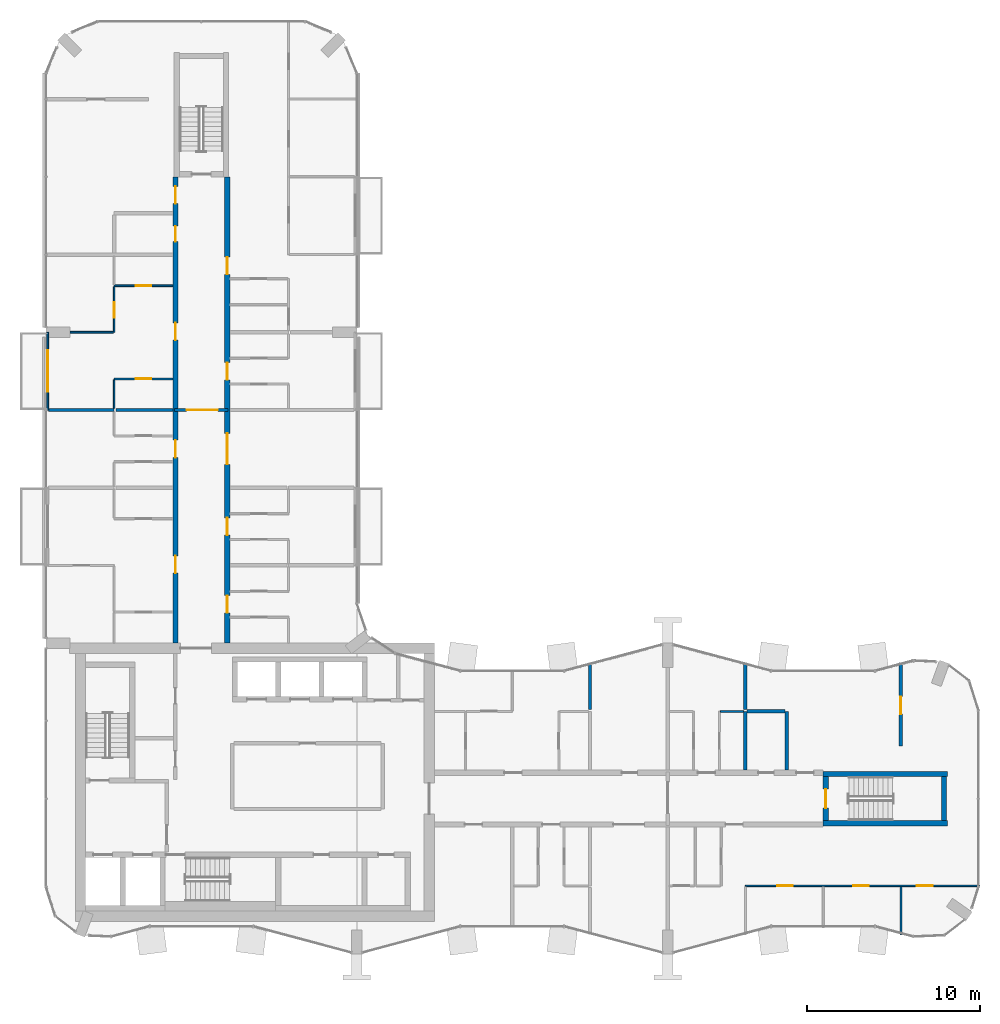
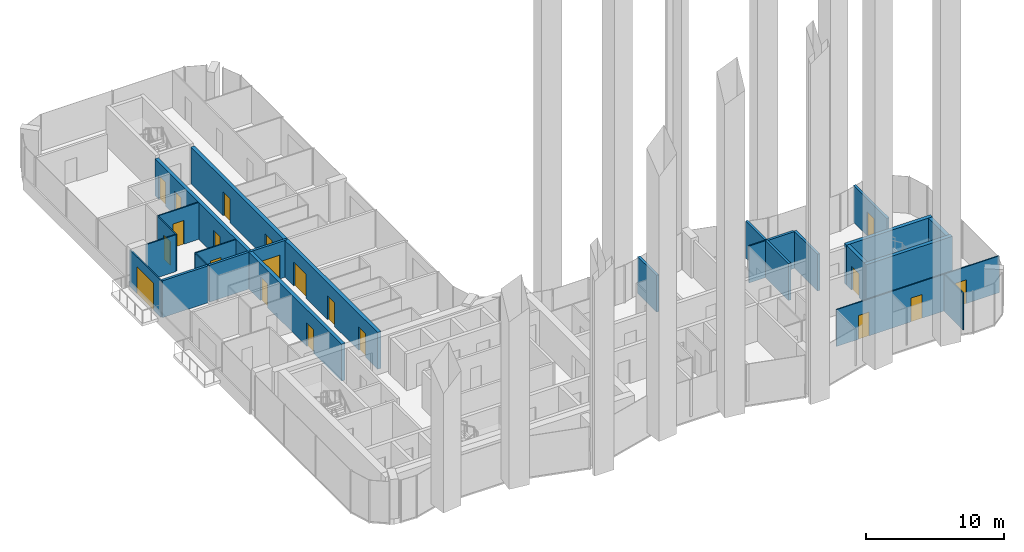
# One storey, part 12 of 18: 24 walls, 20 doors, 20 openings.
"""IFC4 building model written with IfcOpenShell, lengths in metres."""

from ifc_helpers import new_model, si_unit, direction, frame, frame_2d, origin, place, context, subcontext, project, spatial, rectangle, extrude, material, layer, layer_set, type_object, element, fill, save


model = new_model("IFC4")

# Units and contexts
model_context = context("Model", 3, precision=1e-05, world=origin(), true_north=direction((0.0, 1.0)))
body_context = subcontext(model_context, "Body", "Model", "MODEL_VIEW")
ifc_project = project(units=[si_unit("LENGTHUNIT", "METRE"), si_unit("AREAUNIT", "SQUARE_METRE"), si_unit("VOLUMEUNIT", "CUBIC_METRE"), si_unit("PLANEANGLEUNIT", "RADIAN"), si_unit("MASSUNIT", "GRAM", prefix="KILO")], contexts=[model_context])

# Site, building, storey
site_placement = place(None, origin())
site = spatial("IfcSite", under=ifc_project, at=site_placement, CompositionType="ELEMENT")
building_placement = place(site_placement, origin())
building = spatial("IfcBuilding", under=site, at=building_placement, Name="Plateau Cross Towers", CompositionType="ELEMENT")
storey_placement = place(building_placement, frame((0.0, 0.0, 139.39990234375)))
storey = spatial("IfcBuildingStorey", under=building, at=storey_placement, Name="L35", CompositionType="ELEMENT", Elevation=139.39990234375)

# Wall, opening, door
ifc_material_1 = material(Name="Aluminium framed glazing", Category="aluminium")
ifc_layer_1 = layer(ifc_material_1, 0.10009765625)
ifc_layer_set_1 = layer_set([ifc_layer_1], Name="Aluminium framed glazing")
wall_type_1 = type_object("IfcWallType", Name="Balcony screen wall 100", PredefinedType="STANDARD", material=ifc_layer_set_1)
wall_1_placement = place(storey_placement, frame((0.10009765625, 31.5, 0.0), z_axis=(0.0, 0.0, 1.0), x_axis=(0.0, 1.0, 0.0)))
wall_1 = element("IfcWall", 1, at=wall_1_placement, inside=storey, type_object=wall_type_1, Name="Balcony screen wall A-BAL-L35-02", PredefinedType="STANDARD", context=body_context, shape_type="SweptSolid", body=[
    extrude(rectangle(XDim=4.5, YDim=0.10009765625, at=frame_2d((2.25, 0.0))), origin(), (0.0, 0.0, 1.0), 3.25),
])
opening_1_placement = place(wall_1_placement, frame((1.050048828125, 0.0, 0.0)))
opening_1 = element("IfcOpeningElement", 2, at=opening_1_placement, cuts=wall_1, Name="Opening D-B24", PredefinedType="OPENING", context=body_context, shape_type="SweptSolid", body=[
    extrude(rectangle(XDim=2.39990234375, YDim=2.39990234375, at=frame_2d((1.199951171875, 1.199951171875))), frame((0.0, 0.06005859375, 0.0), z_axis=(0.0, -1.0, 0.0), x_axis=(1.0, 0.0, 0.0)), (0.0, 0.0, 1.0), 0.1201171875),
])
ifc_material_2 = material(Name="Aluminium frame, double glazing", Category="aluminium")
door_type_1 = type_object("IfcDoorType", Name="Balcony sliding door 2400", OperationType="NOTDEFINED", PredefinedType="DOOR", material=ifc_material_2)
door_1_placement = place(opening_1_placement, origin())
door_1 = element("IfcDoor", 3, at=door_1_placement, inside=storey, type_object=door_type_1, Name="Balcony door A-BAL-L35-02", OperationType="SINGLE_SWING_LEFT", OverallHeight=2.39990234375, OverallWidth=2.39990234375, PredefinedType="DOOR", context=body_context, shape_type="SweptSolid", body=[
    extrude(rectangle(XDim=2.39990234375, YDim=2.39990234375, at=frame_2d((1.199951171875, 1.199951171875))), frame((0.0, 0.02490234375, 0.0), z_axis=(0.0, -1.0, 0.0), x_axis=(1.0, 0.0, 0.0)), (0.0, 0.0, 1.0), 0.050048828125),
])
fill(opening_1, door_1)

# Wall, openings, doors
ifc_material_3 = material(Name="Concrete C60/75", Category="concrete")
ifc_layer_2 = layer(ifc_material_3, 0.300048828125)
ifc_layer_set_2 = layer_set([ifc_layer_2], Name="Concrete C60/75")
wall_type_2 = type_object("IfcWallType", Name="Corridor wall 300", PredefinedType="SHEAR", material=ifc_layer_set_2)
wall_2_placement = place(storey_placement, frame((7.5, 18.0, 0.0), z_axis=(0.0, 0.0, 1.0), x_axis=(0.0, 1.0, 0.0)))
wall_2 = element("IfcWall", 4, at=wall_2_placement, inside=storey, type_object=wall_type_2, Name="A-cw-W1@L35", PredefinedType="SHEAR", context=body_context, shape_type="SweptSolid", body=[
    extrude(rectangle(XDim=27.0, YDim=0.300048828125, at=frame_2d((13.5, 0.0))), origin(), (0.0, 0.0, 1.0), 3.25),
])
opening_2_placement = place(wall_2_placement, frame((4.050048828125, 0.0, 0.0)))
opening_2 = element("IfcOpeningElement", 5, at=opening_2_placement, cuts=wall_2, Name="Opening 35-10", PredefinedType="OPENING", context=body_context, shape_type="SweptSolid", body=[
    extrude(rectangle(XDim=1.0, YDim=2.10009765625, at=frame_2d((0.5, 1.050048828125))), frame((0.0, 0.159912109375, 0.0), z_axis=(0.0, -1.0, 0.0), x_axis=(1.0, 0.0, 0.0)), (0.0, 0.0, 1.0), 0.320068359375),
])
opening_3_placement = place(wall_2_placement, frame((10.75, 0.0, 0.0)))
opening_3 = element("IfcOpeningElement", 6, at=opening_3_placement, cuts=wall_2, Name="Opening 35-11", PredefinedType="OPENING", context=body_context, shape_type="SweptSolid", body=[
    extrude(rectangle(XDim=1.0, YDim=2.10009765625, at=frame_2d((0.5, 1.050048828125))), frame((0.0, 0.159912109375, 0.0), z_axis=(0.0, -1.0, 0.0), x_axis=(1.0, 0.0, 0.0)), (0.0, 0.0, 1.0), 0.320068359375),
])
opening_4_placement = place(wall_2_placement, frame((17.550048828125, 0.0, 0.0)))
opening_4 = element("IfcOpeningElement", 7, at=opening_4_placement, cuts=wall_2, Name="Opening 35-12", PredefinedType="OPENING", context=body_context, shape_type="SweptSolid", body=[
    extrude(rectangle(XDim=1.0, YDim=2.10009765625, at=frame_2d((0.5, 1.050048828125))), frame((0.0, 0.159912109375, 0.0), z_axis=(0.0, -1.0, 0.0), x_axis=(1.0, 0.0, 0.0)), (0.0, 0.0, 1.0), 0.320068359375),
])
opening_5_placement = place(wall_2_placement, frame((23.25, 0.0, 0.0)))
opening_5 = element("IfcOpeningElement", 8, at=opening_5_placement, cuts=wall_2, Name="Opening 35-13", PredefinedType="OPENING", context=body_context, shape_type="SweptSolid", body=[
    extrude(rectangle(XDim=0.89990234375, YDim=2.10009765625, at=frame_2d((0.449951171875, 1.050048828125))), frame((0.0, 0.159912109375, 0.0), z_axis=(0.0, -1.0, 0.0), x_axis=(1.0, 0.0, 0.0)), (0.0, 0.0, 1.0), 0.320068359375),
])
opening_6_placement = place(wall_2_placement, frame((25.449951171875, 0.0, 0.0)))
opening_6 = element("IfcOpeningElement", 9, at=opening_6_placement, cuts=wall_2, Name="Opening 35-14", PredefinedType="OPENING", context=body_context, shape_type="SweptSolid", body=[
    extrude(rectangle(XDim=1.0, YDim=2.10009765625, at=frame_2d((0.5, 1.050048828125))), frame((0.0, 0.159912109375, 0.0), z_axis=(0.0, -1.0, 0.0), x_axis=(1.0, 0.0, 0.0)), (0.0, 0.0, 1.0), 0.320068359375),
])
ifc_material_4 = material(Name="Timber, fire-resisting leaf", Category="wood")
door_type_2 = type_object("IfcDoorType", Name="Flat entrance door 1000", OperationType="NOTDEFINED", PredefinedType="DOOR", material=ifc_material_4)
door_2_placement = place(opening_2_placement, origin())
door_2 = element("IfcDoor", 10, at=door_2_placement, inside=storey, type_object=door_type_2, Name="Door 35-10", OperationType="SINGLE_SWING_LEFT", OverallHeight=2.10009765625, OverallWidth=1.0, PredefinedType="DOOR", context=body_context, shape_type="SweptSolid", body=[
    extrude(rectangle(XDim=1.0, YDim=2.10009765625, at=frame_2d((0.5, 1.050048828125))), frame((0.0, 0.02490234375, 0.0), z_axis=(0.0, -1.0, 0.0), x_axis=(1.0, 0.0, 0.0)), (0.0, 0.0, 1.0), 0.050048828125),
])
fill(opening_2, door_2)
door_3_placement = place(opening_3_placement, origin())
door_3 = element("IfcDoor", 11, at=door_3_placement, inside=storey, type_object=door_type_2, Name="Door 35-11", OperationType="SINGLE_SWING_LEFT", OverallHeight=2.10009765625, OverallWidth=1.0, PredefinedType="DOOR", context=body_context, shape_type="SweptSolid", body=[
    extrude(rectangle(XDim=1.0, YDim=2.10009765625, at=frame_2d((0.5, 1.050048828125))), frame((0.0, 0.02490234375, 0.0), z_axis=(0.0, -1.0, 0.0), x_axis=(1.0, 0.0, 0.0)), (0.0, 0.0, 1.0), 0.050048828125),
])
fill(opening_3, door_3)
door_4_placement = place(opening_4_placement, origin())
door_4 = element("IfcDoor", 12, at=door_4_placement, inside=storey, type_object=door_type_2, Name="Door 35-12", OperationType="SINGLE_SWING_RIGHT", OverallHeight=2.10009765625, OverallWidth=1.0, PredefinedType="DOOR", context=body_context, shape_type="SweptSolid", body=[
    extrude(rectangle(XDim=1.0, YDim=2.10009765625, at=frame_2d((0.5, 1.050048828125))), frame((0.0, 0.02490234375, 0.0), z_axis=(0.0, -1.0, 0.0), x_axis=(1.0, 0.0, 0.0)), (0.0, 0.0, 1.0), 0.050048828125),
])
fill(opening_4, door_4)
door_5_placement = place(opening_6_placement, origin())
door_5 = element("IfcDoor", 13, at=door_5_placement, inside=storey, type_object=door_type_2, Name="Door 35-14", OperationType="SINGLE_SWING_RIGHT", OverallHeight=2.10009765625, OverallWidth=1.0, PredefinedType="DOOR", context=body_context, shape_type="SweptSolid", body=[
    extrude(rectangle(XDim=1.0, YDim=2.10009765625, at=frame_2d((0.5, 1.050048828125))), frame((0.0, 0.02490234375, 0.0), z_axis=(0.0, -1.0, 0.0), x_axis=(1.0, 0.0, 0.0)), (0.0, 0.0, 1.0), 0.050048828125),
])
fill(opening_6, door_5)
door_type_3 = type_object("IfcDoorType", Name="Flat floor service door 900", OperationType="NOTDEFINED", PredefinedType="DOOR", material=ifc_material_4)
door_6_placement = place(opening_5_placement, origin())
door_6 = element("IfcDoor", 14, at=door_6_placement, inside=storey, type_object=door_type_3, Name="Door 35-13", OperationType="SINGLE_SWING_RIGHT", OverallHeight=2.10009765625, OverallWidth=0.89990234375, PredefinedType="DOOR", context=body_context, shape_type="SweptSolid", body=[
    extrude(rectangle(XDim=0.89990234375, YDim=2.10009765625, at=frame_2d((0.449951171875, 1.050048828125))), frame((0.0, 0.02490234375, 0.0), z_axis=(0.0, -1.0, 0.0), x_axis=(1.0, 0.0, 0.0)), (0.0, 0.0, 1.0), 0.050048828125),
])
fill(opening_5, door_6)

wall_3_placement = place(storey_placement, frame((10.5, 18.0, 0.0), z_axis=(0.0, 0.0, 1.0), x_axis=(0.0, 1.0, 0.0)))
wall_3 = element("IfcWall", 15, at=wall_3_placement, inside=storey, type_object=wall_type_2, Name="A-cw-W2@L35", PredefinedType="SHEAR", context=body_context, shape_type="SweptSolid", body=[
    extrude(rectangle(XDim=27.0, YDim=0.300048828125, at=frame_2d((13.5, 0.0))), origin(), (0.0, 0.0, 1.0), 3.25),
])
opening_7_placement = place(wall_3_placement, frame((1.75, 0.0, 0.0)))
opening_7 = element("IfcOpeningElement", 16, at=opening_7_placement, cuts=wall_3, Name="Opening 35-15", PredefinedType="OPENING", context=body_context, shape_type="SweptSolid", body=[
    extrude(rectangle(XDim=1.0, YDim=2.10009765625, at=frame_2d((0.5, 1.050048828125))), frame((0.0, 0.159912109375, 0.0), z_axis=(0.0, -1.0, 0.0), x_axis=(1.0, 0.0, 0.0)), (0.0, 0.0, 1.0), 0.320068359375),
])
opening_8_placement = place(wall_3_placement, frame((6.25, 0.0, 0.0)))
opening_8 = element("IfcOpeningElement", 17, at=opening_8_placement, cuts=wall_3, Name="Opening 35-16", PredefinedType="OPENING", context=body_context, shape_type="SweptSolid", body=[
    extrude(rectangle(XDim=1.0, YDim=2.10009765625, at=frame_2d((0.5, 1.050048828125))), frame((0.0, 0.159912109375, 0.0), z_axis=(0.0, -1.0, 0.0), x_axis=(1.0, 0.0, 0.0)), (0.0, 0.0, 1.0), 0.320068359375),
])
opening_9_placement = place(wall_3_placement, frame((10.35009765625, 0.0, 0.0)))
opening_9 = element("IfcOpeningElement", 18, at=opening_9_placement, cuts=wall_3, Name="Opening 35-17", PredefinedType="OPENING", context=body_context, shape_type="SweptSolid", body=[
    extrude(rectangle(XDim=1.800048828125, YDim=2.10009765625, at=frame_2d((0.89990234375, 1.050048828125))), frame((0.0, 0.159912109375, 0.0), z_axis=(0.0, -1.0, 0.0), x_axis=(1.0, 0.0, 0.0)), (0.0, 0.0, 1.0), 0.320068359375),
])
opening_10_placement = place(wall_3_placement, frame((15.25, 0.0, 0.0)))
opening_10 = element("IfcOpeningElement", 19, at=opening_10_placement, cuts=wall_3, Name="Opening 35-18", PredefinedType="OPENING", context=body_context, shape_type="SweptSolid", body=[
    extrude(rectangle(XDim=1.0, YDim=2.10009765625, at=frame_2d((0.5, 1.050048828125))), frame((0.0, 0.159912109375, 0.0), z_axis=(0.0, -1.0, 0.0), x_axis=(1.0, 0.0, 0.0)), (0.0, 0.0, 1.0), 0.320068359375),
])
opening_11_placement = place(wall_3_placement, frame((21.35009765625, 0.0, 0.0)))
opening_11 = element("IfcOpeningElement", 20, at=opening_11_placement, cuts=wall_3, Name="Opening 35-19", PredefinedType="OPENING", context=body_context, shape_type="SweptSolid", body=[
    extrude(rectangle(XDim=1.0, YDim=2.10009765625, at=frame_2d((0.5, 1.050048828125))), frame((0.0, 0.159912109375, 0.0), z_axis=(0.0, -1.0, 0.0), x_axis=(1.0, 0.0, 0.0)), (0.0, 0.0, 1.0), 0.320068359375),
])
door_7_placement = place(opening_7_placement, origin())
door_7 = element("IfcDoor", 21, at=door_7_placement, inside=storey, type_object=door_type_2, Name="Door 35-15", OperationType="SINGLE_SWING_LEFT", OverallHeight=2.10009765625, OverallWidth=1.0, PredefinedType="DOOR", context=body_context, shape_type="SweptSolid", body=[
    extrude(rectangle(XDim=1.0, YDim=2.10009765625, at=frame_2d((0.5, 1.050048828125))), frame((0.0, 0.02490234375, 0.0), z_axis=(0.0, -1.0, 0.0), x_axis=(1.0, 0.0, 0.0)), (0.0, 0.0, 1.0), 0.050048828125),
])
fill(opening_7, door_7)
door_8_placement = place(opening_8_placement, origin())
door_8 = element("IfcDoor", 22, at=door_8_placement, inside=storey, type_object=door_type_2, Name="Door 35-16", OperationType="SINGLE_SWING_LEFT", OverallHeight=2.10009765625, OverallWidth=1.0, PredefinedType="DOOR", context=body_context, shape_type="SweptSolid", body=[
    extrude(rectangle(XDim=1.0, YDim=2.10009765625, at=frame_2d((0.5, 1.050048828125))), frame((0.0, 0.02490234375, 0.0), z_axis=(0.0, -1.0, 0.0), x_axis=(1.0, 0.0, 0.0)), (0.0, 0.0, 1.0), 0.050048828125),
])
fill(opening_8, door_8)
door_9_placement = place(opening_10_placement, origin())
door_9 = element("IfcDoor", 23, at=door_9_placement, inside=storey, type_object=door_type_2, Name="Door 35-18", OperationType="SINGLE_SWING_RIGHT", OverallHeight=2.10009765625, OverallWidth=1.0, PredefinedType="DOOR", context=body_context, shape_type="SweptSolid", body=[
    extrude(rectangle(XDim=1.0, YDim=2.10009765625, at=frame_2d((0.5, 1.050048828125))), frame((0.0, 0.02490234375, 0.0), z_axis=(0.0, -1.0, 0.0), x_axis=(1.0, 0.0, 0.0)), (0.0, 0.0, 1.0), 0.050048828125),
])
fill(opening_10, door_9)
door_10_placement = place(opening_11_placement, origin())
door_10 = element("IfcDoor", 24, at=door_10_placement, inside=storey, type_object=door_type_2, Name="Door 35-19", OperationType="SINGLE_SWING_RIGHT", OverallHeight=2.10009765625, OverallWidth=1.0, PredefinedType="DOOR", context=body_context, shape_type="SweptSolid", body=[
    extrude(rectangle(XDim=1.0, YDim=2.10009765625, at=frame_2d((0.5, 1.050048828125))), frame((0.0, 0.02490234375, 0.0), z_axis=(0.0, -1.0, 0.0), x_axis=(1.0, 0.0, 0.0)), (0.0, 0.0, 1.0), 0.050048828125),
])
fill(opening_11, door_10)
ifc_material_5 = material(Name="Timber, fire-resisting leaves", Category="wood")
door_type_4 = type_object("IfcDoorType", Name="Flat floor fire door pair 1800", OperationType="NOTDEFINED", PredefinedType="DOOR", material=ifc_material_5)
door_11_placement = place(opening_9_placement, origin())
door_11 = element("IfcDoor", 25, at=door_11_placement, inside=storey, type_object=door_type_4, Name="Door 35-17", OperationType="SINGLE_SWING_LEFT", OverallHeight=2.10009765625, OverallWidth=1.800048828125, PredefinedType="DOOR", context=body_context, shape_type="SweptSolid", body=[
    extrude(rectangle(XDim=1.800048828125, YDim=2.10009765625, at=frame_2d((0.89990234375, 1.050048828125))), frame((0.0, 0.02490234375, 0.0), z_axis=(0.0, -1.0, 0.0), x_axis=(1.0, 0.0, 0.0)), (0.0, 0.0, 1.0), 0.050048828125),
])
fill(opening_9, door_11)

ifc_material_6 = material(Name="Gypsum board on steel studs", Category="steel")
ifc_layer_3 = layer(ifc_material_6, 0.10009765625)
ifc_layer_set_3 = layer_set([ifc_layer_3], Name="Gypsum board on steel studs")
wall_type_3 = type_object("IfcWallType", Name="Flat partition 100", PredefinedType="PARTITIONING", material=ifc_layer_set_3)
wall_4_placement = place(storey_placement, frame((54.080078125, 3.949951171875, 0.0), z_axis=(0.0, 0.0, 1.0), x_axis=(-1.0, 0.0, 0.0)))
wall_4 = element("IfcWall", 26, at=wall_4_placement, inside=storey, type_object=wall_type_3, Name="Partition wall", PredefinedType="PARTITIONING", context=body_context, shape_type="SweptSolid", body=[
    extrude(rectangle(XDim=13.580078125, YDim=0.10009765625, at=frame_2d((6.7900390625, 0.0))), origin(), (0.0, 0.0, 1.0), 3.25),
])
opening_12_placement = place(wall_4_placement, frame((10.85009765625, 0.0, 0.0)))
opening_12 = element("IfcOpeningElement", 27, at=opening_12_placement, cuts=wall_4, Name="Opening 35-28", PredefinedType="OPENING", context=body_context, shape_type="SweptSolid", body=[
    extrude(rectangle(XDim=0.89990234375, YDim=2.10009765625, at=frame_2d((0.449951171875, 1.050048828125))), frame((0.0, 0.06005859375, 0.0), z_axis=(0.0, -1.0, 0.0), x_axis=(1.0, 0.0, 0.0)), (0.0, 0.0, 1.0), 0.1201171875),
])
opening_13_placement = place(wall_4_placement, frame((6.449951171875, 0.0, 0.0)))
opening_13 = element("IfcOpeningElement", 28, at=opening_13_placement, cuts=wall_4, Name="Opening 35-29", PredefinedType="OPENING", context=body_context, shape_type="SweptSolid", body=[
    extrude(rectangle(XDim=0.89990234375, YDim=2.10009765625, at=frame_2d((0.449951171875, 1.050048828125))), frame((0.0, 0.06005859375, 0.0), z_axis=(0.0, -1.0, 0.0), x_axis=(1.0, 0.0, 0.0)), (0.0, 0.0, 1.0), 0.1201171875),
])
opening_14_placement = place(wall_4_placement, frame((2.75, 0.0, 0.0)))
opening_14 = element("IfcOpeningElement", 29, at=opening_14_placement, cuts=wall_4, Name="Opening 35-30", PredefinedType="OPENING", context=body_context, shape_type="SweptSolid", body=[
    extrude(rectangle(XDim=0.89990234375, YDim=2.10009765625, at=frame_2d((0.449951171875, 1.050048828125))), frame((0.0, 0.06005859375, 0.0), z_axis=(0.0, -1.0, 0.0), x_axis=(1.0, 0.0, 0.0)), (0.0, 0.0, 1.0), 0.1201171875),
])
ifc_material_7 = material(Name="Timber leaf", Category="wood")
door_type_5 = type_object("IfcDoorType", Name="Flat room door 900", OperationType="NOTDEFINED", PredefinedType="DOOR", material=ifc_material_7)
door_12_placement = place(opening_12_placement, origin())
door_12 = element("IfcDoor", 30, at=door_12_placement, inside=storey, type_object=door_type_5, Name="Door 35-28", OperationType="SINGLE_SWING_RIGHT", OverallHeight=2.10009765625, OverallWidth=0.89990234375, PredefinedType="DOOR", context=body_context, shape_type="SweptSolid", body=[
    extrude(rectangle(XDim=0.89990234375, YDim=2.10009765625, at=frame_2d((0.449951171875, 1.050048828125))), frame((0.0, 0.02490234375, 0.0), z_axis=(0.0, -1.0, 0.0), x_axis=(1.0, 0.0, 0.0)), (0.0, 0.0, 1.0), 0.050048828125),
])
fill(opening_12, door_12)
door_13_placement = place(opening_13_placement, origin())
door_13 = element("IfcDoor", 31, at=door_13_placement, inside=storey, type_object=door_type_5, Name="Door 35-29", OperationType="SINGLE_SWING_RIGHT", OverallHeight=2.10009765625, OverallWidth=0.89990234375, PredefinedType="DOOR", context=body_context, shape_type="SweptSolid", body=[
    extrude(rectangle(XDim=0.89990234375, YDim=2.10009765625, at=frame_2d((0.449951171875, 1.050048828125))), frame((0.0, 0.02490234375, 0.0), z_axis=(0.0, -1.0, 0.0), x_axis=(1.0, 0.0, 0.0)), (0.0, 0.0, 1.0), 0.050048828125),
])
fill(opening_13, door_13)
door_14_placement = place(opening_14_placement, origin())
door_14 = element("IfcDoor", 32, at=door_14_placement, inside=storey, type_object=door_type_5, Name="Door 35-30", OperationType="SINGLE_SWING_LEFT", OverallHeight=2.10009765625, OverallWidth=0.89990234375, PredefinedType="DOOR", context=body_context, shape_type="SweptSolid", body=[
    extrude(rectangle(XDim=0.89990234375, YDim=2.10009765625, at=frame_2d((0.449951171875, 1.050048828125))), frame((0.0, 0.02490234375, 0.0), z_axis=(0.0, -1.0, 0.0), x_axis=(1.0, 0.0, 0.0)), (0.0, 0.0, 1.0), 0.050048828125),
])
fill(opening_14, door_14)

# Wall
wall_5_placement = place(storey_placement, frame((40.39990234375, 14.050048828125, 0.0), z_axis=(0.0, 0.0, 1.0), x_axis=(-1.0, 0.0, 0.0)))
element("IfcWall", 33, at=wall_5_placement, inside=storey, type_object=wall_type_3, Name="Partition wall", PredefinedType="PARTITIONING", context=body_context, shape_type="SweptSolid", body=[
    extrude(rectangle(XDim=1.349853515625, YDim=0.10009765625, at=frame_2d((0.6748046875, 0.0))), origin(), (0.0, 0.0, 1.0), 3.25),
])

# Wall, opening, door
wall_6_placement = place(storey_placement, frame((7.35009765625, 33.300048828125, 0.0), z_axis=(0.0, 0.0, 1.0), x_axis=(-1.0, 0.0, 0.0)))
wall_6 = element("IfcWall", 34, at=wall_6_placement, inside=storey, type_object=wall_type_3, Name="Partition wall", PredefinedType="PARTITIONING", context=body_context, shape_type="SweptSolid", body=[
    extrude(rectangle(XDim=3.400146484375, YDim=0.10009765625, at=frame_2d((1.7001953125, 0.0))), origin(), (0.0, 0.0, 1.0), 3.25),
])
opening_15_placement = place(wall_6_placement, frame((1.25, 0.0, 0.0)))
opening_15 = element("IfcOpeningElement", 35, at=opening_15_placement, cuts=wall_6, Name="Opening 35-41", PredefinedType="OPENING", context=body_context, shape_type="SweptSolid", body=[
    extrude(rectangle(XDim=0.89990234375, YDim=2.10009765625, at=frame_2d((0.449951171875, 1.050048828125))), frame((0.0, 0.06005859375, 0.0), z_axis=(0.0, -1.0, 0.0), x_axis=(1.0, 0.0, 0.0)), (0.0, 0.0, 1.0), 0.1201171875),
])
door_15_placement = place(opening_15_placement, origin())
door_15 = element("IfcDoor", 36, at=door_15_placement, inside=storey, type_object=door_type_5, Name="Door 35-41", OperationType="SINGLE_SWING_RIGHT", OverallHeight=2.10009765625, OverallWidth=0.89990234375, PredefinedType="DOOR", context=body_context, shape_type="SweptSolid", body=[
    extrude(rectangle(XDim=0.89990234375, YDim=2.10009765625, at=frame_2d((0.449951171875, 1.050048828125))), frame((0.0, 0.02490234375, 0.0), z_axis=(0.0, -1.0, 0.0), x_axis=(1.0, 0.0, 0.0)), (0.0, 0.0, 1.0), 0.050048828125),
])
fill(opening_15, door_15)

# Wall
wall_7_placement = place(storey_placement, frame((1.39990234375, 36.0, 0.0), z_axis=(0.0, 0.0, 1.0), x_axis=(1.0, 0.0, 0.0)))
element("IfcWall", 37, at=wall_7_placement, inside=storey, type_object=wall_type_3, Name="Partition wall", PredefinedType="PARTITIONING", context=body_context, shape_type="SweptSolid", body=[
    extrude(rectangle(XDim=2.5, YDim=0.10009765625, at=frame_2d((1.25, 0.0))), origin(), (0.0, 0.0, 1.0), 3.25),
])

# Wall, opening, door
wall_8_placement = place(storey_placement, frame((3.949951171875, 38.699951171875, 0.0), z_axis=(0.0, 0.0, 1.0), x_axis=(1.0, 0.0, 0.0)))
wall_8 = element("IfcWall", 38, at=wall_8_placement, inside=storey, type_object=wall_type_3, Name="Partition wall", PredefinedType="PARTITIONING", context=body_context, shape_type="SweptSolid", body=[
    extrude(rectangle(XDim=3.400146484375, YDim=0.10009765625, at=frame_2d((1.7001953125, 0.0))), origin(), (0.0, 0.0, 1.0), 3.25),
])
opening_16_placement = place(wall_8_placement, frame((1.25, 0.0, 0.0)))
opening_16 = element("IfcOpeningElement", 39, at=opening_16_placement, cuts=wall_8, Name="Opening 35-42", PredefinedType="OPENING", context=body_context, shape_type="SweptSolid", body=[
    extrude(rectangle(XDim=0.89990234375, YDim=2.10009765625, at=frame_2d((0.449951171875, 1.050048828125))), frame((0.0, 0.06005859375, 0.0), z_axis=(0.0, -1.0, 0.0), x_axis=(1.0, 0.0, 0.0)), (0.0, 0.0, 1.0), 0.1201171875),
])
door_16_placement = place(opening_16_placement, origin())
door_16 = element("IfcDoor", 40, at=door_16_placement, inside=storey, type_object=door_type_5, Name="Door 35-42", OperationType="SINGLE_SWING_RIGHT", OverallHeight=2.10009765625, OverallWidth=0.89990234375, PredefinedType="DOOR", context=body_context, shape_type="SweptSolid", body=[
    extrude(rectangle(XDim=0.89990234375, YDim=2.10009765625, at=frame_2d((0.449951171875, 1.050048828125))), frame((0.0, 0.02490234375, 0.0), z_axis=(0.0, -1.0, 0.0), x_axis=(1.0, 0.0, 0.0)), (0.0, 0.0, 1.0), 0.050048828125),
])
fill(opening_16, door_16)

# Wall
wall_9_placement = place(storey_placement, frame((3.949951171875, 33.25, 0.0), z_axis=(0.0, 0.0, 1.0), x_axis=(0.0, -1.0, 0.0)))
element("IfcWall", 41, at=wall_9_placement, inside=storey, type_object=wall_type_3, Name="Partition wall", PredefinedType="PARTITIONING", context=body_context, shape_type="SweptSolid", body=[
    extrude(rectangle(XDim=1.64990234375, YDim=0.10009765625, at=frame_2d((0.824951171875, 0.0))), origin(), (0.0, 0.0, 1.0), 3.25),
])

# Wall, opening, door
wall_10_placement = place(storey_placement, frame((3.949951171875, 36.0, 0.0), z_axis=(0.0, 0.0, 1.0), x_axis=(0.0, 1.0, 0.0)))
wall_10 = element("IfcWall", 42, at=wall_10_placement, inside=storey, type_object=wall_type_3, Name="Partition wall", PredefinedType="PARTITIONING", context=body_context, shape_type="SweptSolid", body=[
    extrude(rectangle(XDim=2.64990234375, YDim=0.10009765625, at=frame_2d((1.324951171875, 0.0))), origin(), (0.0, 0.0, 1.0), 3.25),
])
opening_17_placement = place(wall_10_placement, frame((0.85009765625, 0.0, 0.0)))
opening_17 = element("IfcOpeningElement", 43, at=opening_17_placement, cuts=wall_10, Name="Opening 35-43", PredefinedType="OPENING", context=body_context, shape_type="SweptSolid", body=[
    extrude(rectangle(XDim=0.89990234375, YDim=2.10009765625, at=frame_2d((0.449951171875, 1.050048828125))), frame((0.0, 0.06005859375, 0.0), z_axis=(0.0, -1.0, 0.0), x_axis=(1.0, 0.0, 0.0)), (0.0, 0.0, 1.0), 0.1201171875),
])
door_17_placement = place(opening_17_placement, origin())
door_17 = element("IfcDoor", 44, at=door_17_placement, inside=storey, type_object=door_type_5, Name="Door 35-43", OperationType="SINGLE_SWING_LEFT", OverallHeight=2.10009765625, OverallWidth=0.89990234375, PredefinedType="DOOR", context=body_context, shape_type="SweptSolid", body=[
    extrude(rectangle(XDim=0.89990234375, YDim=2.10009765625, at=frame_2d((0.449951171875, 1.050048828125))), frame((0.0, 0.02490234375, 0.0), z_axis=(0.0, -1.0, 0.0), x_axis=(1.0, 0.0, 0.0)), (0.0, 0.0, 1.0), 0.050048828125),
])
fill(opening_17, door_17)

# Walls
wall_11_placement = place(storey_placement, frame((49.5, 1.122314453125, 0.0), z_axis=(0.0, 0.0, 1.0), x_axis=(0.0, 1.0, 0.0)))
element("IfcWall", 45, at=wall_11_placement, inside=storey, type_object=wall_type_3, Name="Partition wall", PredefinedType="PARTITIONING", context=body_context, shape_type="SweptSolid", body=[
    extrude(rectangle(XDim=2.777587890625, YDim=0.10009765625, at=frame_2d((1.388671875, 0.0))), origin(), (0.0, 0.0, 1.0), 3.25),
])
ifc_material_8 = material(Name="Gypsum board on steel studs, two layers each side", Category="steel")
ifc_layer_4 = layer(ifc_material_8, 0.199951171875)
ifc_layer_set_4 = layer_set([ifc_layer_4], Name="Gypsum board on steel studs, two layers each side")
wall_type_4 = type_object("IfcWallType", Name="Flat party wall 200", PredefinedType="PARTITIONING", material=ifc_layer_set_4)
wall_12_placement = place(storey_placement, frame((42.800048828125, 14.050048828125, 0.0), z_axis=(0.0, 0.0, 1.0), x_axis=(-1.0, 0.0, 0.0)))
element("IfcWall", 46, at=wall_12_placement, inside=storey, type_object=wall_type_4, Name="Party wall", PredefinedType="PARTITIONING", context=body_context, shape_type="SweptSolid", body=[
    extrude(rectangle(XDim=2.199951171875, YDim=0.199951171875, at=frame_2d((1.10009765625, 0.0))), origin(), (0.0, 0.0, 1.0), 3.25),
])
wall_13_placement = place(storey_placement, frame((7.35009765625, 31.5, 0.0), z_axis=(0.0, 0.0, 1.0), x_axis=(-1.0, 0.0, 0.0)))
element("IfcWall", 47, at=wall_13_placement, inside=storey, type_object=wall_type_4, Name="Party wall", PredefinedType="PARTITIONING", context=body_context, shape_type="SweptSolid", body=[
    extrude(rectangle(XDim=3.300048828125, YDim=0.199951171875, at=frame_2d((1.64990234375, 0.0))), origin(), (0.0, 0.0, 1.0), 3.25),
])
wall_14_placement = place(storey_placement, frame((0.14990234375, 31.5, 0.0), z_axis=(0.0, 0.0, 1.0), x_axis=(1.0, 0.0, 0.0)))
element("IfcWall", 48, at=wall_14_placement, inside=storey, type_object=wall_type_4, Name="Party wall", PredefinedType="PARTITIONING", context=body_context, shape_type="SweptSolid", body=[
    extrude(rectangle(XDim=3.800048828125, YDim=0.199951171875, at=frame_2d((1.89990234375, 0.0))), origin(), (0.0, 0.0, 1.0), 3.25),
])
for number, where, z_axis, x_axis, name in (
    (49, (31.5, 16.877685546875, 0.0), (0.0, 0.0, 1.0), (0.0, -1.0, 0.0), "Party wall"),
    (50, (40.5, 16.877685546875, 0.0), (0.0, 0.0, 1.0), (0.0, -1.0, 0.0), "Party wall"),
):
    element("IfcWall", number, at=place(storey_placement, frame(where, z_axis=z_axis, x_axis=x_axis)), inside=storey, type_object=wall_type_4, Name=name, PredefinedType="PARTITIONING", context=body_context, shape_type="SweptSolid", body=[
        extrude(rectangle(XDim=2.727783203125, YDim=0.199951171875, at=frame_2d((1.36376953125, 0.0))), origin(), (0.0, 0.0, 1.0), 3.25),
    ])
for number, where, z_axis, x_axis, name in (
    (51, (40.5, 10.64990234375, 0.0), (0.0, 0.0, 1.0), (0.0, 1.0, 0.0), "Party wall"),
    (52, (42.89990234375, 10.64990234375, 0.0), (0.0, 0.0, 1.0), (0.0, 1.0, 0.0), "Party wall"),
):
    element("IfcWall", number, at=place(storey_placement, frame(where, z_axis=z_axis, x_axis=x_axis)), inside=storey, type_object=wall_type_4, Name=name, PredefinedType="PARTITIONING", context=body_context, shape_type="SweptSolid", body=[
        extrude(rectangle(XDim=3.400146484375, YDim=0.199951171875, at=frame_2d((1.7001953125, 0.0))), origin(), (0.0, 0.0, 1.0), 3.25),
    ])

# Wall, opening, door
wall_15_placement = place(storey_placement, frame((49.5, 12.050048828125, 0.0), z_axis=(0.0, 0.0, 1.0), x_axis=(0.0, 1.0, 0.0)))
wall_15 = element("IfcWall", 53, at=wall_15_placement, inside=storey, type_object=wall_type_4, Name="Party wall", PredefinedType="PARTITIONING", context=body_context, shape_type="SweptSolid", body=[
    extrude(rectangle(XDim=4.82763671875, YDim=0.199951171875, at=frame_2d((2.413818359375, 0.0))), origin(), (0.0, 0.0, 1.0), 3.25),
])
opening_18_placement = place(wall_15_placement, frame((1.85009765625, 0.0, 0.0)))
opening_18 = element("IfcOpeningElement", 54, at=opening_18_placement, cuts=wall_15, Name="Opening 35-22", PredefinedType="OPENING", context=body_context, shape_type="SweptSolid", body=[
    extrude(rectangle(XDim=1.0, YDim=2.10009765625, at=frame_2d((0.5, 1.050048828125))), frame((0.0, 0.10986328125, 0.0), z_axis=(0.0, -1.0, 0.0), x_axis=(1.0, 0.0, 0.0)), (0.0, 0.0, 1.0), 0.219970703125),
])
door_18_placement = place(opening_18_placement, origin())
door_18 = element("IfcDoor", 55, at=door_18_placement, inside=storey, type_object=door_type_2, Name="Door 35-22", OperationType="SINGLE_SWING_LEFT", OverallHeight=2.10009765625, OverallWidth=1.0, PredefinedType="DOOR", context=body_context, shape_type="SweptSolid", body=[
    extrude(rectangle(XDim=1.0, YDim=2.10009765625, at=frame_2d((0.5, 1.050048828125))), frame((0.0, 0.02490234375, 0.0), z_axis=(0.0, -1.0, 0.0), x_axis=(1.0, 0.0, 0.0)), (0.0, 0.0, 1.0), 0.050048828125),
])
fill(opening_18, door_18)

wall_16_placement = place(storey_placement, frame((7.449951171875, 31.5, 0.0), z_axis=(0.0, 0.0, 1.0), x_axis=(1.0, 0.0, 0.0)))
wall_16 = element("IfcWall", 56, at=wall_16_placement, inside=storey, type_object=wall_type_4, Name="Party wall", PredefinedType="PARTITIONING", context=body_context, shape_type="SweptSolid", body=[
    extrude(rectangle(XDim=3.10009765625, YDim=0.199951171875, at=frame_2d((1.550048828125, 0.0))), origin(), (0.0, 0.0, 1.0), 3.25),
])
opening_19_placement = place(wall_16_placement, frame((0.699951171875, 0.0, 0.0)))
opening_19 = element("IfcOpeningElement", 57, at=opening_19_placement, cuts=wall_16, Name="Opening 35-21", PredefinedType="OPENING", context=body_context, shape_type="SweptSolid", body=[
    extrude(rectangle(XDim=1.800048828125, YDim=2.10009765625, at=frame_2d((0.89990234375, 1.050048828125))), frame((0.0, 0.10986328125, 0.0), z_axis=(0.0, -1.0, 0.0), x_axis=(1.0, 0.0, 0.0)), (0.0, 0.0, 1.0), 0.219970703125),
])
door_19_placement = place(opening_19_placement, origin())
door_19 = element("IfcDoor", 58, at=door_19_placement, inside=storey, type_object=door_type_4, Name="Door 35-21", OperationType="SINGLE_SWING_RIGHT", OverallHeight=2.10009765625, OverallWidth=1.800048828125, PredefinedType="DOOR", context=body_context, shape_type="SweptSolid", body=[
    extrude(rectangle(XDim=1.800048828125, YDim=2.10009765625, at=frame_2d((0.89990234375, 1.050048828125))), frame((0.0, 0.02490234375, 0.0), z_axis=(0.0, -1.0, 0.0), x_axis=(1.0, 0.0, 0.0)), (0.0, 0.0, 1.0), 0.050048828125),
])
fill(opening_19, door_19)

ifc_layer_5 = layer(ifc_material_3, 0.300048828125)
ifc_layer_set_5 = layer_set([ifc_layer_5], Name="Concrete C60/75")
wall_type_5 = type_object("IfcWallType", Name="Stair tower wall 300", PredefinedType="SHEAR", material=ifc_layer_set_5)
wall_17_placement = place(storey_placement, frame((45.14990234375, 7.72509765625, 0.0), z_axis=(0.0, 0.0, 1.0), x_axis=(0.0, 1.0, 0.0)))
wall_17 = element("IfcWall", 59, at=wall_17_placement, inside=storey, type_object=wall_type_5, Name="A-end-E-W@L35", PredefinedType="SHEAR", context=body_context, shape_type="SweptSolid", body=[
    extrude(rectangle(XDim=2.5498046875, YDim=0.300048828125, at=frame_2d((1.27490234375, 0.0))), origin(), (0.0, 0.0, 1.0), 3.5),
])
opening_20_placement = place(wall_17_placement, frame((0.72509765625, 0.0, 0.0)))
opening_20 = element("IfcOpeningElement", 60, at=opening_20_placement, cuts=wall_17, Name="Opening SD", PredefinedType="OPENING", context=body_context, shape_type="SweptSolid", body=[
    extrude(rectangle(XDim=1.10009765625, YDim=2.10009765625, at=frame_2d((0.550048828125, 1.050048828125))), frame((0.0, 0.159912109375, 0.0), z_axis=(0.0, -1.0, 0.0), x_axis=(1.0, 0.0, 0.0)), (0.0, 0.0, 1.0), 0.320068359375),
])
ifc_material_9 = material(Name="Steel, fire-resisting leaf", Category="steel")
door_type_6 = type_object("IfcDoorType", Name="Stair door 1100", OperationType="NOTDEFINED", PredefinedType="DOOR", material=ifc_material_9)
door_20_placement = place(opening_20_placement, origin())
door_20 = element("IfcDoor", 61, at=door_20_placement, inside=storey, type_object=door_type_6, Name="Stair door SD", OperationType="SINGLE_SWING_LEFT", OverallHeight=2.10009765625, OverallWidth=1.10009765625, PredefinedType="DOOR", context=body_context, shape_type="SweptSolid", body=[
    extrude(rectangle(XDim=1.10009765625, YDim=2.10009765625, at=frame_2d((0.550048828125, 1.050048828125))), frame((0.0, 0.02490234375, 0.0), z_axis=(0.0, -1.0, 0.0), x_axis=(1.0, 0.0, 0.0)), (0.0, 0.0, 1.0), 0.050048828125),
])
fill(opening_20, door_20)

# Walls
wall_18_placement = place(storey_placement, frame((52.0, 7.72509765625, 0.0), z_axis=(0.0, 0.0, 1.0), x_axis=(0.0, 1.0, 0.0)))
element("IfcWall", 62, at=wall_18_placement, inside=storey, type_object=wall_type_5, Name="A-end-E-E@L35", PredefinedType="SHEAR", context=body_context, shape_type="SweptSolid", body=[
    extrude(rectangle(XDim=2.5498046875, YDim=0.300048828125, at=frame_2d((1.27490234375, 0.0))), origin(), (0.0, 0.0, 1.0), 3.5),
])
for number, where, z_axis, x_axis, name in (
    (63, (45.0, 7.574951171875, 0.0), (0.0, 0.0, 1.0), (1.0, 0.0, 0.0), "A-end-E-S@L35"),
    (64, (45.0, 10.425048828125, 0.0), (0.0, 0.0, 1.0), (1.0, 0.0, 0.0), "A-end-E-N@L35"),
):
    element("IfcWall", number, at=place(storey_placement, frame(where, z_axis=z_axis, x_axis=x_axis)), inside=storey, type_object=wall_type_5, Name=name, PredefinedType="SHEAR", context=body_context, shape_type="SweptSolid", body=[
        extrude(rectangle(XDim=7.199951171875, YDim=0.300048828125, at=frame_2d((3.60009765625, 0.0))), origin(), (0.0, 0.0, 1.0), 3.5),
    ])

save(model, "model.ifc")
